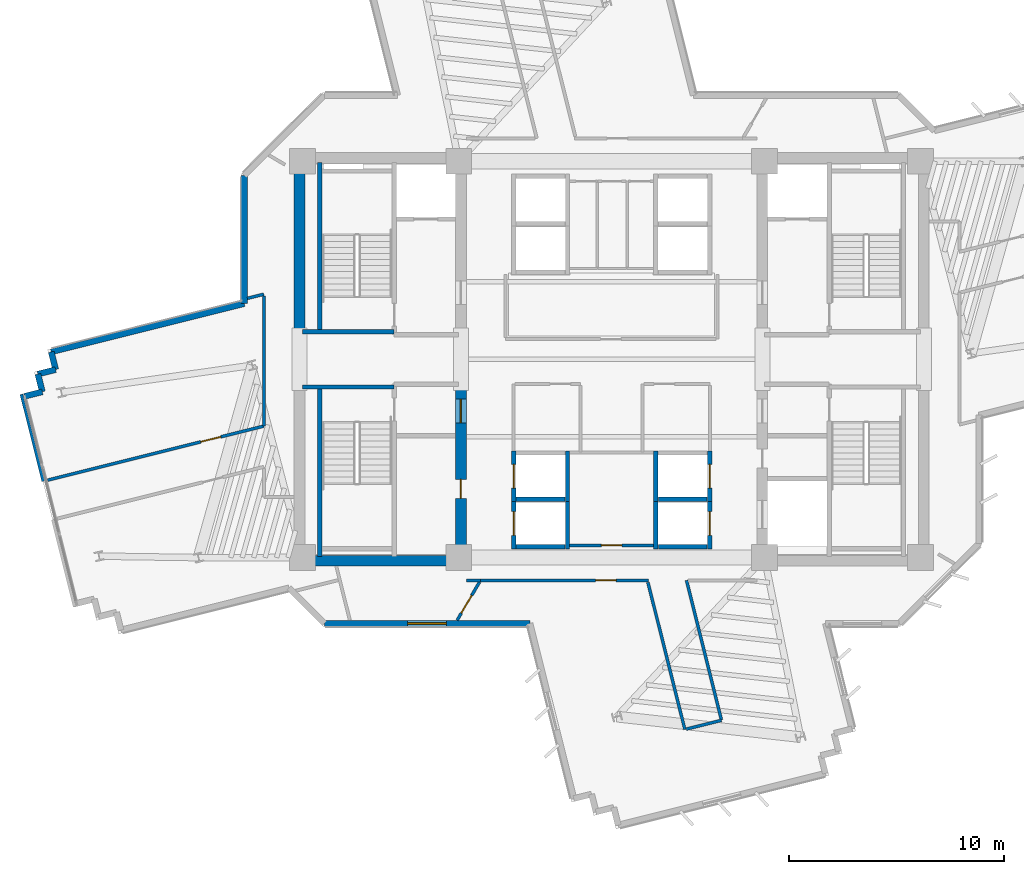
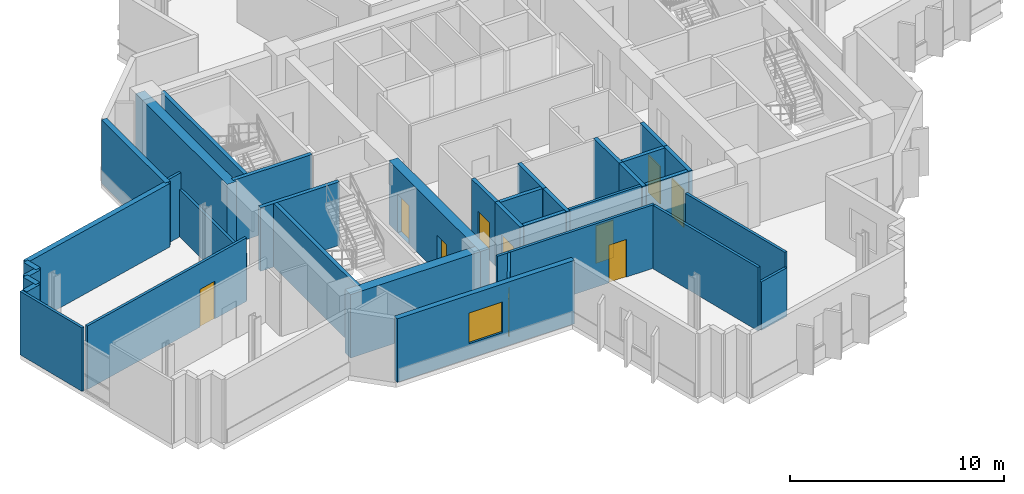
# One storey, part 6 of 13: 37 walls, 10 doors, 1 window, 11 openings.
"""IFC4 building model written with IfcOpenShell, lengths in metres."""

from ifc_helpers import new_model, si_unit, direction, frame, frame_2d, origin, place, context, subcontext, project, spatial, rectangle, extrude, source, transform, mapped, material, layer, layer_set, type_object, element, fill, save


model = new_model("IFC4")

# Units and contexts
model_context = context("Model", 3, precision=1e-05, world=origin(), true_north=direction((0.0, 1.0)))
body_context = subcontext(model_context, "Body", "Model", "MODEL_VIEW")
ifc_project = project(units=[si_unit("LENGTHUNIT", "METRE"), si_unit("AREAUNIT", "SQUARE_METRE"), si_unit("VOLUMEUNIT", "CUBIC_METRE"), si_unit("PLANEANGLEUNIT", "RADIAN"), si_unit("MASSUNIT", "GRAM", prefix="KILO")], contexts=[model_context])

# Site, building, storey
site_placement = place(None, origin())
site = spatial("IfcSite", under=ifc_project, at=site_placement, CompositionType="ELEMENT")
building_placement = place(site_placement, origin())
building = spatial("IfcBuilding", under=site, at=building_placement, Name="Zahravan Cultural Tower", CompositionType="ELEMENT")
storey_placement = place(building_placement, frame((0.0, 0.0, 182.39990234375)))
storey = spatial("IfcBuildingStorey", under=building, at=storey_placement, Name="L42", CompositionType="ELEMENT", Elevation=182.39990234375)

# Wall, openings, doors
ifc_material_1 = material(Name="Concrete C60/75", Category="concrete")
ifc_layer_1 = layer(ifc_material_1, 0.5)
ifc_layer_set_1 = layer_set([ifc_layer_1], Name="Concrete C60/75")
wall_type_1 = type_object("IfcWallType", Name="CW-SHEAR-500-C60", PredefinedType="SHEAR", material=ifc_layer_set_1)
wall_1_placement = place(storey_placement, frame((29.0, 17.39990234375, 0.0), z_axis=(0.0, 0.0, 1.0), x_axis=(0.0, 1.0, 0.0)))
wall_1 = element("IfcWall", 1, at=wall_1_placement, inside=storey, type_object=wall_type_1, Name="L42 Core Shear Wall CW-W-ES-L42", PredefinedType="SHEAR", context=body_context, shape_type="SweptSolid", body=[
    extrude(rectangle(XDim=8.550048828125, YDim=0.5, at=frame_2d((4.27490234375, 0.0))), origin(), (0.0, 0.0, 1.0), 3.6201171875),
])
opening_1_placement = place(wall_1_placement, frame((6.64990234375, 0.0, 0.0)))
opening_1 = element("IfcOpeningElement", 2, at=opening_1_placement, cuts=wall_1, Name="Opening D-L42-07", PredefinedType="OPENING", context=body_context, shape_type="SweptSolid", body=[
    extrude(rectangle(XDim=1.10009765625, YDim=2.199951171875, at=frame_2d((0.550048828125, 1.10009765625))), frame((0.0, 0.260009765625, 0.0), z_axis=(0.0, -1.0, 0.0), x_axis=(1.0, 0.0, 0.0)), (0.0, 0.0, 1.0), 0.52001953125),
])
opening_2_placement = place(wall_1_placement, frame((3.14990234375, 0.0, 0.0)))
opening_2 = element("IfcOpeningElement", 3, at=opening_2_placement, cuts=wall_1, Name="Opening D-L42-09", PredefinedType="OPENING", context=body_context, shape_type="SweptSolid", body=[
    extrude(rectangle(XDim=0.8798828125, YDim=2.10009765625, at=frame_2d((0.43994140625, 1.050048828125))), frame((0.0, 0.260009765625, 0.0), z_axis=(0.0, -1.0, 0.0), x_axis=(1.0, 0.0, 0.0)), (0.0, 0.0, 1.0), 0.52001953125),
])
ifc_material_2 = material(Name="Steel ASTM A572 Grade 50", Category="steel")
door_type_1 = type_object("IfcDoorType", Name="DR-LOBBY-1100", OperationType="NOTDEFINED", PredefinedType="DOOR", material=ifc_material_2)
shared_shape_1 = source(origin(), body_context, "Body", "SweptSolid", [
    extrude(rectangle(XDim=1.10009765625, YDim=2.199951171875, at=frame_2d((0.550048828125, 1.10009765625))), frame((0.0, 0.02490234375, 0.0), z_axis=(0.0, -1.0, 0.0), x_axis=(1.0, 0.0, 0.0)), (0.0, 0.0, 1.0), 0.050048828125),
])
door_1_placement = place(opening_1_placement, origin())
door_1 = element("IfcDoor", 4, at=door_1_placement, inside=storey, type_object=door_type_1, Name="L42 Door D-L42-07", OperationType="SINGLE_SWING_RIGHT", OverallHeight=2.199951171875, OverallWidth=1.10009765625, PredefinedType="DOOR", context=body_context, shape_type="MappedRepresentation", body=[
    mapped(shared_shape_1, transform((0.0, 0.0, 0.0), x_axis=(1.0, 0.0, 0.0), y_axis=(0.0, 1.0, 0.0), z_axis=(0.0, 0.0, 1.0), scale=1.0)),
])
fill(opening_1, door_1)
door_type_2 = type_object("IfcDoorType", Name="DR-SVC-880", OperationType="NOTDEFINED", PredefinedType="DOOR", material=ifc_material_2)
shared_shape_2 = source(origin(), body_context, "Body", "SweptSolid", [
    extrude(rectangle(XDim=0.8798828125, YDim=2.10009765625, at=frame_2d((0.43994140625, 1.050048828125))), frame((0.0, 0.02490234375, 0.0), z_axis=(0.0, -1.0, 0.0), x_axis=(1.0, 0.0, 0.0)), (0.0, 0.0, 1.0), 0.050048828125),
])
door_2_placement = place(opening_2_placement, origin())
door_2 = element("IfcDoor", 5, at=door_2_placement, inside=storey, type_object=door_type_2, Name="L42 Door D-L42-09", OperationType="SINGLE_SWING_RIGHT", OverallHeight=2.10009765625, OverallWidth=0.8798828125, PredefinedType="DOOR", context=body_context, shape_type="MappedRepresentation", body=[
    mapped(shared_shape_2, transform((0.0, 0.0, 0.0), x_axis=(1.0, 0.0, 0.0), y_axis=(0.0, 1.0, 0.0), z_axis=(0.0, 0.0, 1.0), scale=1.0)),
])
fill(opening_2, door_2)

# Wall, opening, window
ifc_material_3 = material(Name="Precast concrete C40/50", Category="concrete")
ifc_layer_2 = layer(ifc_material_3, 0.280029296875)
ifc_layer_set_2 = layer_set([ifc_layer_2], Name="Precast concrete C40/50")
wall_type_2 = type_object("IfcWallType", Name="EW-TC-280", PredefinedType="SOLIDWALL", material=ifc_layer_set_2)
wall_2_placement = place(storey_placement, frame((32.204833984375, 14.739990234375, 0.0), z_axis=(0.0, 0.0, 1.0), x_axis=(-1.0, 0.0, 0.0)))
wall_2 = element("IfcWall", 6, at=wall_2_placement, inside=storey, type_object=wall_type_2, Name="L42 Exterior Masonry Frame Wall 25", PredefinedType="SOLIDWALL", context=body_context, shape_type="SweptSolid", body=[
    extrude(rectangle(XDim=9.546875, YDim=0.280029296875, at=frame_2d((4.7734375, 0.0))), origin(), (0.0, 0.0, 1.0), 3.6201171875),
])
opening_3_placement = place(wall_2_placement, frame((3.873046875, 0.0, 0.85009765625)))
opening_3 = element("IfcOpeningElement", 7, at=opening_3_placement, cuts=wall_2, Name="Opening WN-02", PredefinedType="OPENING", context=body_context, shape_type="SweptSolid", body=[
    extrude(rectangle(XDim=1.800048828125, YDim=1.75, at=frame_2d((0.89990234375, 0.875))), frame((0.0, 0.14990234375, 0.0), z_axis=(0.0, -1.0, 0.0), x_axis=(1.0, 0.0, 0.0)), (0.0, 0.0, 1.0), 0.300048828125),
])
ifc_material_4 = material(Name="Low-E solar-control double glazing", Category="glass")
window_type = type_object("IfcWindowType", Name="WN-REC-1800X1750", PartitioningType="DOUBLE_PANEL_VERTICAL", PredefinedType="WINDOW", material=ifc_material_4)
shared_shape_3 = source(origin(), body_context, "Body", "SweptSolid", [
    extrude(rectangle(XDim=1.800048828125, YDim=1.75, at=frame_2d((0.89990234375, 0.875))), frame((0.0, 0.030029296875, 0.0), z_axis=(0.0, -1.0, 0.0), x_axis=(1.0, 0.0, 0.0)), (0.0, 0.0, 1.0), 0.06005859375),
])
window_placement = place(opening_3_placement, origin())
window = element("IfcWindow", 8, at=window_placement, inside=storey, type_object=window_type, Name="L42 Recessed Solar Window 08", OverallHeight=1.75, OverallWidth=1.800048828125, PartitioningType="DOUBLE_PANEL_VERTICAL", PredefinedType="WINDOW", context=body_context, shape_type="MappedRepresentation", body=[
    mapped(shared_shape_3, transform((0.0, 0.0, 0.0), x_axis=(1.0, 0.0, 0.0), y_axis=(0.0, 1.0, 0.0), z_axis=(0.0, 0.0, 1.0), scale=1.0)),
])
fill(opening_3, window)

# Wall, opening, door
ifc_material_5 = material(Name="Gypsum plasterboard partition")
ifc_layer_3 = layer(ifc_material_5, 0.139892578125)
ifc_layer_set_3 = layer_set([ifc_layer_3], Name="Gypsum plasterboard partition")
wall_type_3 = type_object("IfcWallType", Name="W-PART-140", PredefinedType="PARTITIONING", material=ifc_layer_set_3)
wall_3_placement = place(storey_placement, frame((29.8681640625, 16.6650390625, 0.0), z_axis=(0.0, 0.0, 1.0), x_axis=(-0.505011455642, -0.863112640198, 0.0)))
wall_3 = element("IfcWall", 9, at=wall_3_placement, inside=storey, type_object=wall_type_3, Name="L42 Interior Wall 072", PredefinedType="PARTITIONING", context=body_context, shape_type="SweptSolid", body=[
    extrude(rectangle(XDim=2.062255859375, YDim=0.139892578125, at=frame_2d((1.03125, 0.0))), origin(), (0.0, 0.0, 1.0), 3.6201171875),
])
opening_4_placement = place(wall_3_placement, frame((0.722900390625, 0.0, 0.0)))
opening_4 = element("IfcOpeningElement", 10, at=opening_4_placement, cuts=wall_3, Name="Opening D-L42-25", PredefinedType="OPENING", context=body_context, shape_type="SweptSolid", body=[
    extrude(rectangle(XDim=0.949951171875, YDim=2.14990234375, at=frame_2d((0.47509765625, 1.074951171875))), frame((0.0, 0.079833984375, 0.0), z_axis=(0.0, -1.0, 0.0), x_axis=(1.0, 0.0, 0.0)), (0.0, 0.0, 1.0), 0.159912109375),
])
ifc_material_6 = material(Name="Anodised bronze-aluminium mullion", Category="aluminium")
door_type_3 = type_object("IfcDoorType", Name="DR-ROOM-950", OperationType="NOTDEFINED", PredefinedType="DOOR", material=ifc_material_6)
shared_shape_4 = source(origin(), body_context, "Body", "SweptSolid", [
    extrude(rectangle(XDim=0.949951171875, YDim=2.14990234375, at=frame_2d((0.47509765625, 1.074951171875))), frame((0.0, 0.02490234375, 0.0), z_axis=(0.0, -1.0, 0.0), x_axis=(1.0, 0.0, 0.0)), (0.0, 0.0, 1.0), 0.050048828125),
])
door_3_placement = place(opening_4_placement, origin())
door_3 = element("IfcDoor", 11, at=door_3_placement, inside=storey, type_object=door_type_3, Name="L42 Door D-L42-25", OperationType="SINGLE_SWING_RIGHT", OverallHeight=2.14990234375, OverallWidth=0.949951171875, PredefinedType="DOOR", context=body_context, shape_type="MappedRepresentation", body=[
    mapped(shared_shape_4, transform((0.0, 0.0, 0.0), x_axis=(1.0, 0.0, 0.0), y_axis=(0.0, 1.0, 0.0), z_axis=(0.0, 0.0, 1.0), scale=1.0)),
])
fill(opening_4, door_3)

wall_4_placement = place(storey_placement, frame((37.945068359375, 18.360107421875, 0.0), z_axis=(0.0, 0.0, 1.0), x_axis=(-1.0, 0.0, 0.0)))
wall_4 = element("IfcWall", 12, at=wall_4_placement, inside=storey, type_object=wall_type_3, Name="L42 Interior Wall 075", PredefinedType="PARTITIONING", context=body_context, shape_type="SweptSolid", body=[
    extrude(rectangle(XDim=3.89013671875, YDim=0.139892578125, at=frame_2d((1.945068359375, 0.0))), origin(), (0.0, 0.0, 1.0), 3.6201171875),
])
opening_5_placement = place(wall_4_placement, frame((1.469970703125, 0.0, 0.0)))
opening_5 = element("IfcOpeningElement", 13, at=opening_5_placement, cuts=wall_4, Name="Opening D-L42-17", PredefinedType="OPENING", context=body_context, shape_type="SweptSolid", body=[
    extrude(rectangle(XDim=0.949951171875, YDim=2.14990234375, at=frame_2d((0.47509765625, 1.074951171875))), frame((0.0, 0.079833984375, 0.0), z_axis=(0.0, -1.0, 0.0), x_axis=(1.0, 0.0, 0.0)), (0.0, 0.0, 1.0), 0.159912109375),
])
door_4_placement = place(opening_5_placement, origin())
door_4 = element("IfcDoor", 14, at=door_4_placement, inside=storey, type_object=door_type_3, Name="L42 Door D-L42-17", OperationType="SINGLE_SWING_RIGHT", OverallHeight=2.14990234375, OverallWidth=0.949951171875, PredefinedType="DOOR", context=body_context, shape_type="MappedRepresentation", body=[
    mapped(shared_shape_4, transform((0.0, 0.0, 0.0), x_axis=(1.0, 0.0, 0.0), y_axis=(0.0, 1.0, 0.0), z_axis=(0.0, 0.0, 1.0), scale=1.0)),
])
fill(opening_5, door_4)

wall_5_placement = place(storey_placement, frame((19.85009765625, 23.90380859375, 0.0), z_axis=(0.0, 0.0, 1.0), x_axis=(-0.97004665335, -0.24291869077, 0.0)))
wall_5 = element("IfcWall", 15, at=wall_5_placement, inside=storey, type_object=wall_type_3, Name="L42 Interior Wall 096", PredefinedType="PARTITIONING", context=body_context, shape_type="SweptSolid", body=[
    extrude(rectangle(XDim=10.3466796875, YDim=0.139892578125, at=frame_2d((5.17333984375, 0.0))), origin(), (0.0, 0.0, 1.0), 3.6201171875),
])
opening_6_placement = place(wall_5_placement, frame((2.0673828125, 0.0, 0.0)))
opening_6 = element("IfcOpeningElement", 16, at=opening_6_placement, cuts=wall_5, Name="Opening D-L42-21", PredefinedType="OPENING", context=body_context, shape_type="SweptSolid", body=[
    extrude(rectangle(XDim=0.949951171875, YDim=2.14990234375, at=frame_2d((0.47509765625, 1.074951171875))), frame((0.0, 0.079833984375, 0.0), z_axis=(0.0, -1.0, 0.0), x_axis=(1.0, 0.0, 0.0)), (0.0, 0.0, 1.0), 0.159912109375),
])
door_5_placement = place(opening_6_placement, origin())
door_5 = element("IfcDoor", 17, at=door_5_placement, inside=storey, type_object=door_type_3, Name="L42 Door D-L42-21", OperationType="SINGLE_SWING_RIGHT", OverallHeight=2.14990234375, OverallWidth=0.949951171875, PredefinedType="DOOR", context=body_context, shape_type="MappedRepresentation", body=[
    mapped(shared_shape_4, transform((0.0, 0.0, 0.0), x_axis=(1.0, 0.0, 0.0), y_axis=(0.0, 1.0, 0.0), z_axis=(0.0, 0.0, 1.0), scale=1.0)),
])
fill(opening_6, door_5)

wall_6_placement = place(storey_placement, frame((29.912109375, 16.739990234375, 0.0), z_axis=(0.0, 0.0, 1.0), x_axis=(1.0, 0.0, 0.0)))
wall_6 = element("IfcWall", 18, at=wall_6_placement, inside=storey, type_object=wall_type_3, Name="L42 Interior Wall 103", PredefinedType="PARTITIONING", context=body_context, shape_type="SweptSolid", body=[
    extrude(rectangle(XDim=7.806396484375, YDim=0.139892578125, at=frame_2d((3.9033203125, 0.0))), origin(), (0.0, 0.0, 1.0), 3.6201171875),
])
opening_7_placement = place(wall_6_placement, frame((5.34814453125, 0.0, 0.0)))
opening_7 = element("IfcOpeningElement", 19, at=opening_7_placement, cuts=wall_6, Name="Opening D-L42-23", PredefinedType="OPENING", context=body_context, shape_type="SweptSolid", body=[
    extrude(rectangle(XDim=0.949951171875, YDim=2.14990234375, at=frame_2d((0.47509765625, 1.074951171875))), frame((0.0, 0.079833984375, 0.0), z_axis=(0.0, -1.0, 0.0), x_axis=(1.0, 0.0, 0.0)), (0.0, 0.0, 1.0), 0.159912109375),
])
door_6_placement = place(opening_7_placement, origin())
door_6 = element("IfcDoor", 20, at=door_6_placement, inside=storey, type_object=door_type_3, Name="L42 Door D-L42-23", OperationType="SINGLE_SWING_RIGHT", OverallHeight=2.14990234375, OverallWidth=0.949951171875, PredefinedType="DOOR", context=body_context, shape_type="MappedRepresentation", body=[
    mapped(shared_shape_4, transform((0.0, 0.0, 0.0), x_axis=(1.0, 0.0, 0.0), y_axis=(0.0, 1.0, 0.0), z_axis=(0.0, 0.0, 1.0), scale=1.0)),
])
fill(opening_7, door_6)

ifc_material_7 = material(Name="Concrete C45/55", Category="concrete")
ifc_layer_4 = layer(ifc_material_7, 0.199951171875)
ifc_layer_set_4 = layer_set([ifc_layer_4], Name="Concrete C45/55")
wall_type_4 = type_object("IfcWallType", Name="W-SHAFT-200", PredefinedType="SOLIDWALL", material=ifc_layer_set_4)
wall_7_placement = place(storey_placement, frame((31.449951171875, 20.39990234375, 0.0), z_axis=(0.0, 0.0, 1.0), x_axis=(0.0, 1.0, 0.0)))
wall_7 = element("IfcWall", 21, at=wall_7_placement, inside=storey, type_object=wall_type_4, Name="L42 Interior Wall 040", PredefinedType="SOLIDWALL", context=body_context, shape_type="SweptSolid", body=[
    extrude(rectangle(XDim=2.35009765625, YDim=0.199951171875, at=frame_2d((1.175048828125, 0.0))), origin(), (0.0, 0.0, 1.0), 3.6201171875),
])
opening_8_placement = place(wall_7_placement, frame((0.625, 0.0, 0.0)))
opening_8 = element("IfcOpeningElement", 22, at=opening_8_placement, cuts=wall_7, Name="Opening LD-L42-04", PredefinedType="OPENING", context=body_context, shape_type="SweptSolid", body=[
    extrude(rectangle(XDim=1.10009765625, YDim=2.14990234375, at=frame_2d((0.550048828125, 1.074951171875))), frame((0.0, 0.10986328125, 0.0), z_axis=(0.0, -1.0, 0.0), x_axis=(1.0, 0.0, 0.0)), (0.0, 0.0, 1.0), 0.219970703125),
])
door_type_4 = type_object("IfcDoorType", Name="DR-LIFT-1100", OperationType="DOUBLE_DOOR_SLIDING", PredefinedType="DOOR", material=ifc_material_2)
shared_shape_5 = source(origin(), body_context, "Body", "SweptSolid", [
    extrude(rectangle(XDim=1.10009765625, YDim=2.14990234375, at=frame_2d((0.550048828125, 1.074951171875))), frame((0.0, 0.02490234375, 0.0), z_axis=(0.0, -1.0, 0.0), x_axis=(1.0, 0.0, 0.0)), (0.0, 0.0, 1.0), 0.050048828125),
])
door_7_placement = place(opening_8_placement, origin())
door_7 = element("IfcDoor", 23, at=door_7_placement, inside=storey, type_object=door_type_4, Name="L42 Door LD-L42-04", OperationType="DOUBLE_DOOR_SLIDING", OverallHeight=2.14990234375, OverallWidth=1.10009765625, PredefinedType="DOOR", context=body_context, shape_type="MappedRepresentation", body=[
    mapped(shared_shape_5, transform((0.0, 0.0, 0.0), x_axis=(1.0, 0.0, 0.0), y_axis=(0.0, 1.0, 0.0), z_axis=(0.0, 0.0, 1.0), scale=1.0)),
])
fill(opening_8, door_7)

wall_8_placement = place(storey_placement, frame((31.449951171875, 18.199951171875, 0.0), z_axis=(0.0, 0.0, 1.0), x_axis=(0.0, 1.0, 0.0)))
wall_8 = element("IfcWall", 24, at=wall_8_placement, inside=storey, type_object=wall_type_4, Name="L42 Interior Wall 044", PredefinedType="SOLIDWALL", context=body_context, shape_type="SweptSolid", body=[
    extrude(rectangle(XDim=2.35009765625, YDim=0.199951171875, at=frame_2d((1.175048828125, 0.0))), origin(), (0.0, 0.0, 1.0), 3.6201171875),
])
opening_9_placement = place(wall_8_placement, frame((0.625, 0.0, 0.0)))
opening_9 = element("IfcOpeningElement", 25, at=opening_9_placement, cuts=wall_8, Name="Opening LD-L42-05", PredefinedType="OPENING", context=body_context, shape_type="SweptSolid", body=[
    extrude(rectangle(XDim=1.10009765625, YDim=2.14990234375, at=frame_2d((0.550048828125, 1.074951171875))), frame((0.0, 0.10986328125, 0.0), z_axis=(0.0, -1.0, 0.0), x_axis=(1.0, 0.0, 0.0)), (0.0, 0.0, 1.0), 0.219970703125),
])
door_8_placement = place(opening_9_placement, origin())
door_8 = element("IfcDoor", 26, at=door_8_placement, inside=storey, type_object=door_type_4, Name="L42 Door LD-L42-05", OperationType="DOUBLE_DOOR_SLIDING", OverallHeight=2.14990234375, OverallWidth=1.10009765625, PredefinedType="DOOR", context=body_context, shape_type="MappedRepresentation", body=[
    mapped(shared_shape_5, transform((0.0, 0.0, 0.0), x_axis=(1.0, 0.0, 0.0), y_axis=(0.0, 1.0, 0.0), z_axis=(0.0, 0.0, 1.0), scale=1.0)),
])
fill(opening_9, door_8)

wall_9_placement = place(storey_placement, frame((40.550048828125, 20.39990234375, 0.0), z_axis=(0.0, 0.0, 1.0), x_axis=(0.0, 1.0, 0.0)))
wall_9 = element("IfcWall", 27, at=wall_9_placement, inside=storey, type_object=wall_type_4, Name="L42 Interior Wall 048", PredefinedType="SOLIDWALL", context=body_context, shape_type="SweptSolid", body=[
    extrude(rectangle(XDim=2.35009765625, YDim=0.199951171875, at=frame_2d((1.175048828125, 0.0))), origin(), (0.0, 0.0, 1.0), 3.6201171875),
])
opening_10_placement = place(wall_9_placement, frame((0.625, 0.0, 0.0)))
opening_10 = element("IfcOpeningElement", 28, at=opening_10_placement, cuts=wall_9, Name="Opening LD-L42-06", PredefinedType="OPENING", context=body_context, shape_type="SweptSolid", body=[
    extrude(rectangle(XDim=1.10009765625, YDim=2.14990234375, at=frame_2d((0.550048828125, 1.074951171875))), frame((0.0, 0.10986328125, 0.0), z_axis=(0.0, -1.0, 0.0), x_axis=(1.0, 0.0, 0.0)), (0.0, 0.0, 1.0), 0.219970703125),
])
door_9_placement = place(opening_10_placement, origin())
door_9 = element("IfcDoor", 29, at=door_9_placement, inside=storey, type_object=door_type_4, Name="L42 Door LD-L42-06", OperationType="DOUBLE_DOOR_SLIDING", OverallHeight=2.14990234375, OverallWidth=1.10009765625, PredefinedType="DOOR", context=body_context, shape_type="MappedRepresentation", body=[
    mapped(shared_shape_5, transform((0.0, 0.0, 0.0), x_axis=(1.0, 0.0, 0.0), y_axis=(0.0, 1.0, 0.0), z_axis=(0.0, 0.0, 1.0), scale=1.0)),
])
fill(opening_10, door_9)

wall_10_placement = place(storey_placement, frame((40.550048828125, 18.199951171875, 0.0), z_axis=(0.0, 0.0, 1.0), x_axis=(0.0, 1.0, 0.0)))
wall_10 = element("IfcWall", 30, at=wall_10_placement, inside=storey, type_object=wall_type_4, Name="L42 Interior Wall 052", PredefinedType="SOLIDWALL", context=body_context, shape_type="SweptSolid", body=[
    extrude(rectangle(XDim=2.35009765625, YDim=0.199951171875, at=frame_2d((1.175048828125, 0.0))), origin(), (0.0, 0.0, 1.0), 3.6201171875),
])
opening_11_placement = place(wall_10_placement, frame((0.625, 0.0, 0.0)))
opening_11 = element("IfcOpeningElement", 31, at=opening_11_placement, cuts=wall_10, Name="Opening LD-L42-07", PredefinedType="OPENING", context=body_context, shape_type="SweptSolid", body=[
    extrude(rectangle(XDim=1.10009765625, YDim=2.14990234375, at=frame_2d((0.550048828125, 1.074951171875))), frame((0.0, 0.10986328125, 0.0), z_axis=(0.0, -1.0, 0.0), x_axis=(1.0, 0.0, 0.0)), (0.0, 0.0, 1.0), 0.219970703125),
])
door_10_placement = place(opening_11_placement, origin())
door_10 = element("IfcDoor", 32, at=door_10_placement, inside=storey, type_object=door_type_4, Name="L42 Door LD-L42-07", OperationType="DOUBLE_DOOR_SLIDING", OverallHeight=2.14990234375, OverallWidth=1.10009765625, PredefinedType="DOOR", context=body_context, shape_type="MappedRepresentation", body=[
    mapped(shared_shape_5, transform((0.0, 0.0, 0.0), x_axis=(1.0, 0.0, 0.0), y_axis=(0.0, 1.0, 0.0), z_axis=(0.0, 0.0, 1.0), scale=1.0)),
])
fill(opening_11, door_10)

# Walls
shared_shape_6 = source(origin(), body_context, "Body", "SweptSolid", [
    extrude(rectangle(XDim=8.550048828125, YDim=0.5, at=frame_2d((4.27490234375, 0.0))), origin(), (0.0, 0.0, 1.0), 3.6201171875),
])
wall_11_placement = place(storey_placement, frame((21.5, 28.050048828125, 0.0), z_axis=(0.0, 0.0, 1.0), x_axis=(0.0, 1.0, 0.0)))
element("IfcWall", 33, at=wall_11_placement, inside=storey, type_object=wall_type_1, Name="L42 Core Shear Wall CW-W-WN-L42", PredefinedType="SHEAR", context=body_context, shape_type="MappedRepresentation", body=[
    mapped(shared_shape_6, transform((0.0, 0.0, 0.0), x_axis=(1.0, 0.0, 0.0), y_axis=(0.0, 1.0, 0.0), z_axis=(0.0, 0.0, 1.0), scale=1.0)),
])
shared_shape_7 = source(origin(), body_context, "Body", "SweptSolid", [
    extrude(rectangle(XDim=7.0, YDim=0.5, at=frame_2d((3.5, 0.0))), origin(), (0.0, 0.0, 1.0), 3.6201171875),
])
wall_12_placement = place(storey_placement, frame((21.75, 17.64990234375, 0.0), z_axis=(0.0, 0.0, 1.0), x_axis=(1.0, 0.0, 0.0)))
element("IfcWall", 34, at=wall_12_placement, inside=storey, type_object=wall_type_1, Name="L42 Core Shear Wall CW-W-S-L42", PredefinedType="SHEAR", context=body_context, shape_type="MappedRepresentation", body=[
    mapped(shared_shape_7, transform((0.0, 0.0, 0.0), x_axis=(1.0, 0.0, 0.0), y_axis=(0.0, 1.0, 0.0), z_axis=(0.0, 0.0, 1.0), scale=1.0)),
])
shared_shape_8 = source(origin(), body_context, "Body", "SweptSolid", [
    extrude(rectangle(XDim=0.85009765625, YDim=0.280029296875, at=frame_2d((0.425048828125, 0.0))), origin(), (0.0, 0.0, 1.0), 3.6201171875),
])
wall_13_placement = place(storey_placement, frame((9.357666015625, 26.317138671875, 0.0), z_axis=(0.0, 0.0, 1.0), x_axis=(0.970041063326, 0.242941012307, 0.0)))
element("IfcWall", 35, at=wall_13_placement, inside=storey, type_object=wall_type_2, Name="L42 Exterior Masonry Frame Wall 34", PredefinedType="SOLIDWALL", context=body_context, shape_type="MappedRepresentation", body=[
    mapped(shared_shape_8, transform((0.0, 0.0, 0.0), x_axis=(1.0, 0.0, 0.0), y_axis=(0.0, 1.0, 0.0), z_axis=(0.0, 0.0, 1.0), scale=1.0)),
])
shared_shape_9 = source(origin(), body_context, "Body", "SweptSolid", [
    extrude(rectangle(XDim=0.849853515625, YDim=0.280029296875, at=frame_2d((0.4248046875, 0.0))), origin(), (0.0, 0.0, 1.0), 3.6201171875),
])
for number, where, z_axis, x_axis, name in (
    (36, (8.73974609375, 25.2861328125, 0.0), (0.0, 0.0, 1.0), (0.970024107708, 0.243008704507, 0.0), "L42 Exterior Masonry Frame Wall 32"),
    (37, (9.564208984375, 25.49267578125, 0.0), (0.0, 0.0, 1.0), (-0.243008704507, 0.970024107708, 0.0), "L42 Exterior Masonry Frame Wall 33"),
    (38, (10.182373046875, 26.523681640625, 0.0), (0.0, 0.0, 1.0), (-0.243008704507, 0.970024107708, 0.0), "L42 Exterior Masonry Frame Wall 35"),
):
    element("IfcWall", number, at=place(storey_placement, frame(where, z_axis=z_axis, x_axis=x_axis)), inside=storey, type_object=wall_type_2, Name=name, PredefinedType="SOLIDWALL", context=body_context, shape_type="MappedRepresentation", body=[
        mapped(shared_shape_9, transform((0.0, 0.0, 0.0), x_axis=(1.0, 0.0, 0.0), y_axis=(0.0, 1.0, 0.0), z_axis=(0.0, 0.0, 1.0), scale=1.0)),
    ])
shared_shape_10 = source(origin(), body_context, "Body", "SweptSolid", [
    extrude(rectangle(XDim=5.948974609375, YDim=0.280029296875, at=frame_2d((2.974609375, 0.0))), origin(), (0.0, 0.0, 1.0), 3.6201171875),
])
wall_14_placement = place(storey_placement, frame((18.93994140625, 29.593017578125, 0.0), z_axis=(0.0, 0.0, 1.0), x_axis=(0.0, 1.0, 0.0)))
element("IfcWall", 39, at=wall_14_placement, inside=storey, type_object=wall_type_2, Name="L42 Exterior Masonry Frame Wall 37", PredefinedType="SOLIDWALL", context=body_context, shape_type="MappedRepresentation", body=[
    mapped(shared_shape_10, transform((0.0, 0.0, 0.0), x_axis=(1.0, 0.0, 0.0), y_axis=(0.0, 1.0, 0.0), z_axis=(0.0, 0.0, 1.0), scale=1.0)),
])
shared_shape_11 = source(origin(), body_context, "Body", "SweptSolid", [
    extrude(rectangle(XDim=9.240966796875, YDim=0.280029296875, at=frame_2d((4.62060546875, 0.0))), origin(), (0.0, 0.0, 1.0), 3.6201171875),
])
wall_15_placement = place(storey_placement, frame((9.975830078125, 27.34814453125, 0.0), z_axis=(0.0, 0.0, 1.0), x_axis=(0.970044513566, 0.242927235402, 0.0)))
element("IfcWall", 40, at=wall_15_placement, inside=storey, type_object=wall_type_2, Name="L42 Exterior Masonry Frame Wall 36", PredefinedType="SOLIDWALL", context=body_context, shape_type="MappedRepresentation", body=[
    mapped(shared_shape_11, transform((0.0, 0.0, 0.0), x_axis=(1.0, 0.0, 0.0), y_axis=(0.0, 1.0, 0.0), z_axis=(0.0, 0.0, 1.0), scale=1.0)),
])
shared_shape_12 = source(origin(), body_context, "Body", "SweptSolid", [
    extrude(rectangle(XDim=7.869873046875, YDim=0.199951171875, at=frame_2d((3.93505859375, 0.0))), origin(), (0.0, 0.0, 1.0), 3.6201171875),
])
for number, where, z_axis, x_axis, name in (
    (41, (22.449951171875, 17.85009765625, 0.0), (0.0, 0.0, 1.0), (0.0, 1.0, 0.0), "L42 Interior Wall 001"),
    (42, (22.449951171875, 28.280029296875, 0.0), (0.0, 0.0, 1.0), (0.0, 1.0, 0.0), "L42 Interior Wall 002"),
):
    element("IfcWall", number, at=place(storey_placement, frame(where, z_axis=z_axis, x_axis=x_axis)), inside=storey, type_object=wall_type_4, Name=name, PredefinedType="SOLIDWALL", context=body_context, shape_type="MappedRepresentation", body=[
        mapped(shared_shape_12, transform((0.0, 0.0, 0.0), x_axis=(1.0, 0.0, 0.0), y_axis=(0.0, 1.0, 0.0), z_axis=(0.0, 0.0, 1.0), scale=1.0)),
    ])
shared_shape_13 = source(origin(), body_context, "Body", "SweptSolid", [
    extrude(rectangle(XDim=4.25, YDim=0.199951171875, at=frame_2d((2.125, 0.0))), origin(), (0.0, 0.0, 1.0), 3.6201171875),
])
for number, where, z_axis, x_axis, name in (
    (43, (21.64990234375, 25.715087890625, 0.0), (0.0, 0.0, 1.0), (1.0, 0.0, 0.0), "L42 Interior Wall 009"),
    (44, (21.64990234375, 28.284912109375, 0.0), (0.0, 0.0, 1.0), (1.0, 0.0, 0.0), "L42 Interior Wall 011"),
):
    element("IfcWall", number, at=place(storey_placement, frame(where, z_axis=z_axis, x_axis=x_axis)), inside=storey, type_object=wall_type_4, Name=name, PredefinedType="SOLIDWALL", context=body_context, shape_type="MappedRepresentation", body=[
        mapped(shared_shape_13, transform((0.0, 0.0, 0.0), x_axis=(1.0, 0.0, 0.0), y_axis=(0.0, 1.0, 0.0), z_axis=(0.0, 0.0, 1.0), scale=1.0)),
    ])
shared_shape_14 = source(origin(), body_context, "Body", "SweptSolid", [
    extrude(rectangle(XDim=2.260009765625, YDim=0.199951171875, at=frame_2d((1.1298828125, 0.0))), origin(), (0.0, 0.0, 1.0), 3.6201171875),
])
for number, where, z_axis, x_axis, name in (
    (45, (31.570068359375, 20.5, 0.0), (0.0, 0.0, 1.0), (1.0, 0.0, 0.0), "L42 Interior Wall 042"),
    (46, (31.570068359375, 18.300048828125, 0.0), (0.0, 0.0, 1.0), (1.0, 0.0, 0.0), "L42 Interior Wall 046"),
    (47, (38.169921875, 20.5, 0.0), (0.0, 0.0, 1.0), (1.0, 0.0, 0.0), "L42 Interior Wall 049"),
    (48, (38.169921875, 18.300048828125, 0.0), (0.0, 0.0, 1.0), (1.0, 0.0, 0.0), "L42 Interior Wall 053"),
):
    element("IfcWall", number, at=place(storey_placement, frame(where, z_axis=z_axis, x_axis=x_axis)), inside=storey, type_object=wall_type_4, Name=name, PredefinedType="SOLIDWALL", context=body_context, shape_type="MappedRepresentation", body=[
        mapped(shared_shape_14, transform((0.0, 0.0, 0.0), x_axis=(1.0, 0.0, 0.0), y_axis=(0.0, 1.0, 0.0), z_axis=(0.0, 0.0, 1.0), scale=1.0)),
    ])
shared_shape_15 = source(origin(), body_context, "Body", "SweptSolid", [
    extrude(rectangle(XDim=2.35009765625, YDim=0.199951171875, at=frame_2d((1.175048828125, 0.0))), origin(), (0.0, 0.0, 1.0), 3.6201171875),
])
for number, where, z_axis, x_axis, name in (
    (49, (33.949951171875, 20.39990234375, 0.0), (0.0, 0.0, 1.0), (0.0, 1.0, 0.0), "L42 Interior Wall 041"),
    (50, (33.949951171875, 18.199951171875, 0.0), (0.0, 0.0, 1.0), (0.0, 1.0, 0.0), "L42 Interior Wall 045"),
    (51, (38.050048828125, 20.39990234375, 0.0), (0.0, 0.0, 1.0), (0.0, 1.0, 0.0), "L42 Interior Wall 047"),
    (52, (38.050048828125, 18.199951171875, 0.0), (0.0, 0.0, 1.0), (0.0, 1.0, 0.0), "L42 Interior Wall 051"),
):
    element("IfcWall", number, at=place(storey_placement, frame(where, z_axis=z_axis, x_axis=x_axis)), inside=storey, type_object=wall_type_4, Name=name, PredefinedType="SOLIDWALL", context=body_context, shape_type="MappedRepresentation", body=[
        mapped(shared_shape_15, transform((0.0, 0.0, 0.0), x_axis=(1.0, 0.0, 0.0), y_axis=(0.0, 1.0, 0.0), z_axis=(0.0, 0.0, 1.0), scale=1.0)),
    ])
shared_shape_16 = source(origin(), body_context, "Body", "SweptSolid", [
    extrude(rectangle(XDim=4.16015625, YDim=0.139892578125, at=frame_2d((2.080078125, 0.0))), origin(), (0.0, 0.0, 1.0), 3.6201171875),
])
wall_16_placement = place(storey_placement, frame((9.604736328125, 21.337890625, 0.0), z_axis=(0.0, 0.0, 1.0), x_axis=(-0.242963670411, 0.970035388458, 0.0)))
element("IfcWall", 53, at=wall_16_placement, inside=storey, type_object=wall_type_3, Name="L42 Interior Wall 093", PredefinedType="PARTITIONING", context=body_context, shape_type="MappedRepresentation", body=[
    mapped(shared_shape_16, transform((0.0, 0.0, 0.0), x_axis=(1.0, 0.0, 0.0), y_axis=(0.0, 1.0, 0.0), z_axis=(0.0, 0.0, 1.0), scale=1.0)),
])
shared_shape_17 = source(origin(), body_context, "Body", "SweptSolid", [
    extrude(rectangle(XDim=0.65869140625, YDim=0.139892578125, at=frame_2d((0.329345703125, 0.0))), origin(), (0.0, 0.0, 1.0), 3.6201171875),
])
wall_17_placement = place(storey_placement, frame((29.25341796875, 16.740478515625, 0.0), z_axis=(0.0, 0.0, 1.0), x_axis=(0.999999725245, -0.000741289641, 0.0)))
element("IfcWall", 54, at=wall_17_placement, inside=storey, type_object=wall_type_3, Name="L42 Interior Wall 071", PredefinedType="PARTITIONING", context=body_context, shape_type="MappedRepresentation", body=[
    mapped(shared_shape_17, transform((0.0, 0.0, 0.0), x_axis=(1.0, 0.0, 0.0), y_axis=(0.0, 1.0, 0.0), z_axis=(0.0, 0.0, 1.0), scale=1.0)),
])
shared_shape_18 = source(origin(), body_context, "Body", "SweptSolid", [
    extrude(rectangle(XDim=0.788818359375, YDim=0.139892578125, at=frame_2d((0.39453125, 0.0))), origin(), (0.0, 0.0, 1.0), 3.6201171875),
])
wall_18_placement = place(storey_placement, frame((19.0849609375, 29.835693359375, 0.0), z_axis=(0.0, 0.0, 1.0), x_axis=(0.970033159667, 0.242972568711, 0.0)))
element("IfcWall", 55, at=wall_18_placement, inside=storey, type_object=wall_type_3, Name="L42 Interior Wall 094", PredefinedType="PARTITIONING", context=body_context, shape_type="MappedRepresentation", body=[
    mapped(shared_shape_18, transform((0.0, 0.0, 0.0), x_axis=(1.0, 0.0, 0.0), y_axis=(0.0, 1.0, 0.0), z_axis=(0.0, 0.0, 1.0), scale=1.0)),
])
shared_shape_19 = source(origin(), body_context, "Body", "SweptSolid", [
    extrude(rectangle(XDim=6.046142578125, YDim=0.139892578125, at=frame_2d((3.02294921875, 0.0))), origin(), (0.0, 0.0, 1.0), 2.693115234375),
])
wall_19_placement = place(storey_placement, frame((19.85009765625, 29.949951171875, 0.0), z_axis=(0.0, 0.0, 1.0), x_axis=(0.0, -1.0, 0.0)))
element("IfcWall", 56, at=wall_19_placement, inside=storey, type_object=wall_type_3, Name="L42 Interior Wall 095", PredefinedType="PARTITIONING", context=body_context, shape_type="MappedRepresentation", body=[
    mapped(shared_shape_19, transform((0.0, 0.0, 0.0), x_axis=(1.0, 0.0, 0.0), y_axis=(0.0, 1.0, 0.0), z_axis=(0.0, 0.0, 1.0), scale=1.0)),
])
shared_shape_20 = source(origin(), body_context, "Body", "SweptSolid", [
    extrude(rectangle(XDim=7.04296875, YDim=0.139892578125, at=frame_2d((3.521484375, 0.0))), origin(), (0.0, 0.0, 1.0), 3.6201171875),
])
wall_20_placement = place(storey_placement, frame((37.6865234375, 16.6435546875, 0.0), z_axis=(0.0, 0.0, 1.0), x_axis=(0.243587652837, -0.969878886968, 0.0)))
element("IfcWall", 57, at=wall_20_placement, inside=storey, type_object=wall_type_3, Name="L42 Interior Wall 104", PredefinedType="PARTITIONING", context=body_context, shape_type="MappedRepresentation", body=[
    mapped(shared_shape_20, transform((0.0, 0.0, 0.0), x_axis=(1.0, 0.0, 0.0), y_axis=(0.0, 1.0, 0.0), z_axis=(0.0, 0.0, 1.0), scale=1.0)),
])
shared_shape_21 = source(origin(), body_context, "Body", "SweptSolid", [
    extrude(rectangle(XDim=1.677734375, YDim=0.139892578125, at=frame_2d((0.8388671875, 0.0))), origin(), (0.0, 0.0, 1.0), 2.76220703125),
])
wall_21_placement = place(storey_placement, frame((39.474853515625, 9.8310546875, 0.0), z_axis=(0.0, 0.0, 1.0), x_axis=(0.969799114262, 0.243905059349, 0.0)))
element("IfcWall", 58, at=wall_21_placement, inside=storey, type_object=wall_type_3, Name="L42 Interior Wall 105", PredefinedType="PARTITIONING", context=body_context, shape_type="MappedRepresentation", body=[
    mapped(shared_shape_21, transform((0.0, 0.0, 0.0), x_axis=(1.0, 0.0, 0.0), y_axis=(0.0, 1.0, 0.0), z_axis=(0.0, 0.0, 1.0), scale=1.0)),
])
shared_shape_22 = source(origin(), body_context, "Body", "SweptSolid", [
    extrude(rectangle(XDim=6.68359375, YDim=0.139892578125, at=frame_2d((3.341796875, 0.0))), origin(), (0.0, 0.0, 1.0), 3.6201171875),
])
wall_22_placement = place(storey_placement, frame((41.097900390625, 10.255859375, 0.0), z_axis=(0.0, 0.0, 1.0), x_axis=(-0.24254421979, 0.970140351416, 0.0)))
element("IfcWall", 59, at=wall_22_placement, inside=storey, type_object=wall_type_3, Name="L42 Interior Wall 106", PredefinedType="PARTITIONING", context=body_context, shape_type="MappedRepresentation", body=[
    mapped(shared_shape_22, transform((0.0, 0.0, 0.0), x_axis=(1.0, 0.0, 0.0), y_axis=(0.0, 1.0, 0.0), z_axis=(0.0, 0.0, 1.0), scale=1.0)),
])

save(model, "model.ifc")
